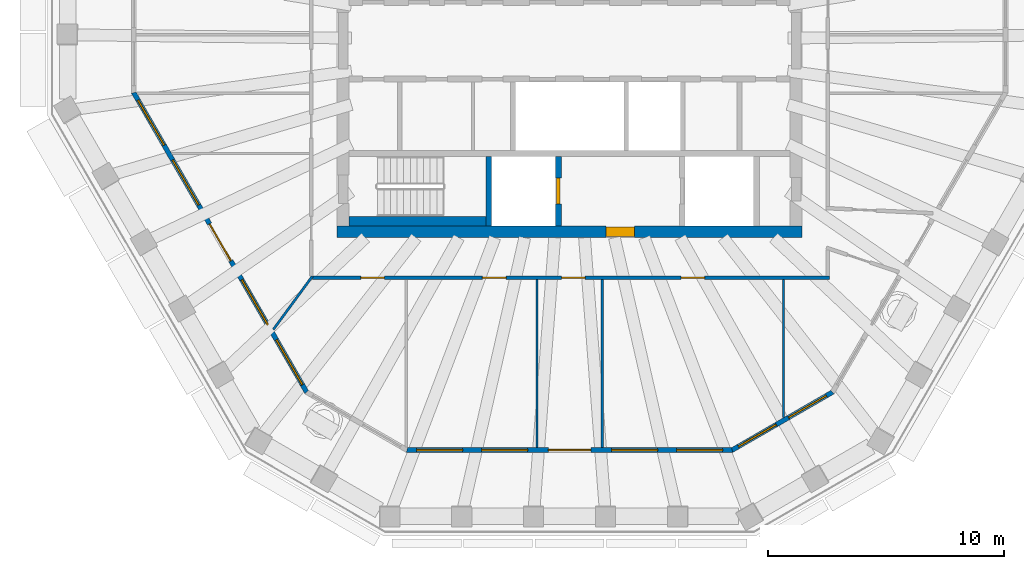
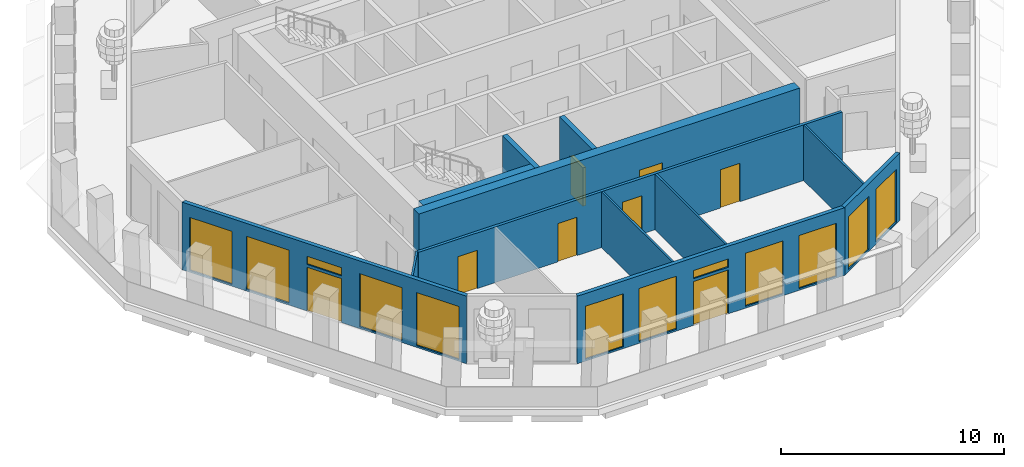
# One storey, part 3 of 11: 12 walls, 12 windows, 8 doors, 20 openings.
"""IFC4 building model written with IfcOpenShell, lengths in metres."""

import ifcopenshell
import ifcopenshell.guid

model = None  # the IFC model being written
_history = None  # IfcOwnerHistory: only IFC2X3 demands one
_inside = {}  # id of a spatial element -> (the spatial element, [elements in it])
_under = {}  # id of a project, library or spatial element -> (it, [spatial elements below it])
_declared = {}  # id of a project -> (the project, [libraries it declares])
_typed = {}  # id of a type object -> (the type object, [elements of that type])
_made_of = {}  # id of a material, layer set ... -> (it, [elements and type objects made of it])


def new_model(schema):
    """Start an empty IFC model of exactly this schema.

    Asked for "IFC4X3", IfcOpenShell would pick the latest addendum, in which some entities
    have other attributes; the version numbers below select the first issue.
    IFC2X3 requires an IfcOwnerHistory on every rooted entity: one is made here for all.
    """
    global model, _history
    if schema == "IFC4X3":
        model = ifcopenshell.file(schema_version=(4, 3, 0, 0))
    else:
        model = ifcopenshell.file(schema=schema)
    _inside.clear()
    _under.clear()
    _declared.clear()
    _typed.clear()
    _made_of.clear()
    _history = None
    if model.schema == "IFC2X3":
        org = make("IfcOrganization", Name="unknown")
        user = make(
            "IfcPersonAndOrganization",
            ThePerson=make("IfcPerson", FamilyName="unknown"),
            TheOrganization=org,
        )
        app = make(
            "IfcApplication",
            ApplicationDeveloper=org,
            Version="unknown",
            ApplicationFullName="unknown",
            ApplicationIdentifier="unknown",
        )
        _history = make(
            "IfcOwnerHistory",
            OwningUser=user,
            OwningApplication=app,
            ChangeAction="ADDED",
            CreationDate=0,
        )
    return model


def make(cls, **values):
    """One entity of the class cls with the attributes given. An attribute that is None is left unset."""
    return model.create_entity(
        cls, **{name: value for name, value in values.items() if value is not None}
    )


def rooted(cls, **values):
    """An entity with a GlobalId (a new one), such as an element, a storey or a relation."""
    return make(cls, GlobalId=ifcopenshell.guid.new(), OwnerHistory=_history, **values)


def si_unit(unit_type, name, prefix=None):
    """IfcSIUnit, for example si_unit("LENGTHUNIT", "METRE", prefix="MILLI")."""
    return make("IfcSIUnit", UnitType=unit_type, Prefix=prefix, Name=name)


def assignment(units):
    """IfcUnitAssignment: the units of a project."""
    return None if units is None else make("IfcUnitAssignment", Units=units)


def point(xyz):
    """IfcCartesianPoint."""
    return None if xyz is None else make("IfcCartesianPoint", Coordinates=xyz)


def direction(xyz):
    """IfcDirection."""
    return None if xyz is None else make("IfcDirection", DirectionRatios=xyz)


def frame(location, z_axis=None, x_axis=None):
    """IfcAxis2Placement3D, a coordinate frame: its origin and axes. An axis left out is left unset."""
    return make(
        "IfcAxis2Placement3D",
        Location=point(location),
        Axis=direction(z_axis),
        RefDirection=direction(x_axis),
    )


def frame_2d(location, x_axis=None):
    """IfcAxis2Placement2D, a coordinate frame in the plane: its origin and x axis."""
    return make(
        "IfcAxis2Placement2D", Location=point(location), RefDirection=direction(x_axis)
    )


def origin():
    """The frame at (0, 0, 0) with its axes left unset."""
    return frame((0.0, 0.0, 0.0))


def place(relative_to, where):
    """IfcLocalPlacement: puts the frame where relative to a parent placement (None: the world)."""
    return make(
        "IfcLocalPlacement", PlacementRelTo=relative_to, RelativePlacement=where
    )


def context(
    kind, dimensions, precision=None, world=None, true_north=None, identifier=None
):
    """IfcGeometricRepresentationContext, for example the 3D "Model" context."""
    return make(
        "IfcGeometricRepresentationContext",
        ContextIdentifier=identifier,
        ContextType=kind,
        CoordinateSpaceDimension=dimensions,
        Precision=precision,
        WorldCoordinateSystem=world,
        TrueNorth=true_north,
    )


def subcontext(parent, identifier, kind, view, scale=None):
    """IfcGeometricRepresentationSubContext, for example "Body" below "Model"."""
    return make(
        "IfcGeometricRepresentationSubContext",
        ContextIdentifier=identifier,
        ContextType=kind,
        ParentContext=parent,
        TargetScale=scale,
        TargetView=view,
    )


def project(units=None, contexts=None):
    """IfcProject with its units and contexts."""
    return rooted(
        "IfcProject",
        Name="project",
        RepresentationContexts=contexts,
        UnitsInContext=assignment(units),
    )


def spatial(cls, under=None, at=None, **own):
    """A site, building, storey or space (cls), placed at a placement, below another one or the project."""
    s = rooted(cls, ObjectPlacement=at, **own)
    if under is not None:
        _under.setdefault(under.id(), (under, []))[1].append(s)
    return s


def polyline(points):
    """IfcPolyline through the points."""
    return make("IfcPolyline", Points=[point(p) for p in points])


def profile(cls, at=None, kind="AREA", **sizes):
    """A parametric profile (cls). Its sizes go by their IFC names, for example OverallWidth=200.0."""
    return make(cls, ProfileType=kind, Position=at, **sizes)


def rectangle(**sizes):
    """IfcRectangleProfileDef."""
    return profile("IfcRectangleProfileDef", **sizes)


def outline(outer, holes=None, kind="AREA"):
    """IfcArbitraryClosedProfileDef: a profile drawn as a closed curve; with holes, ...WithVoids."""
    if holes is None:
        return make("IfcArbitraryClosedProfileDef", ProfileType=kind, OuterCurve=outer)
    return make(
        "IfcArbitraryProfileDefWithVoids",
        ProfileType=kind,
        OuterCurve=outer,
        InnerCurves=holes,
    )


def extrude(swept, where, along, depth):
    """IfcExtrudedAreaSolid: the profile swept, set in the frame where, extruded along a direction by depth."""
    return make(
        "IfcExtrudedAreaSolid",
        SweptArea=swept,
        Position=where,
        ExtrudedDirection=direction(along),
        Depth=depth,
    )


def shape(context_of_items, identifier, shape_type, items):
    """IfcShapeRepresentation: the items that make up one representation, for example the "Body"."""
    return make(
        "IfcShapeRepresentation",
        ContextOfItems=context_of_items,
        RepresentationIdentifier=identifier,
        RepresentationType=shape_type,
        Items=items,
    )


def material(Name=None, Category=None):
    """IfcMaterial."""
    return make("IfcMaterial", Name=Name, Category=Category)


def layer(
    of_material, thickness, ventilated=None, Name=None, Category=None, Priority=None
):
    """IfcMaterialLayer: one layer of a wall or slab, of a material (None: an air gap)."""
    return make(
        "IfcMaterialLayer",
        Material=of_material,
        LayerThickness=thickness,
        IsVentilated=ventilated,
        Name=Name,
        Category=Category,
        Priority=Priority,
    )


def layer_set(layers, Name=None):
    """IfcMaterialLayerSet."""
    return make("IfcMaterialLayerSet", MaterialLayers=layers, LayerSetName=Name)


def made_of(thing, what):
    """Note that an element or type object is made of a material, layer set ...; save() writes the relation."""
    if what is not None:
        _made_of.setdefault(what.id(), (what, []))[1].append(thing)
    return thing


def type_object(cls, material=None, **own):
    """A type object (cls), such as IfcWallType, which elements share."""
    return made_of(rooted(cls, **own), material)


def element(
    cls,
    number,
    at=None,
    inside=None,
    cuts=None,
    type_object=None,
    material=None,
    context=None,
    identifier="Body",
    shape_type=None,
    held_by="IfcProductDefinitionShape",
    body=None,
    shapes=None,
    **own,
):
    """One element of the class cls, such as IfcWall. Its Tag is "e" and its number.

    at: its placement. inside: the storey or other place that contains it. cuts: it is an
    opening in that element (IfcRelVoidsElement). A single representation is given by context,
    identifier, shape_type and body (its items); several are given by shapes. held_by: the class
    of the entity that holds the representations. save() writes the other relations.
    """
    e = rooted(cls, Tag="e%d" % number, ObjectPlacement=at, **own)
    if body is not None:
        shapes = [shape(context, identifier, shape_type, body)]
    if shapes is not None:
        e.Representation = make(held_by, Representations=shapes)
    if inside is not None:
        _inside.setdefault(inside.id(), (inside, []))[1].append(e)
    if cuts is not None:
        rooted(
            "IfcRelVoidsElement", RelatingBuildingElement=cuts, RelatedOpeningElement=e
        )
    if type_object is not None:
        _typed.setdefault(type_object.id(), (type_object, []))[1].append(e)
    return made_of(e, material)


def fill(opening, filler):
    """IfcRelFillsElement: the door or window that sits in an opening."""
    return rooted(
        "IfcRelFillsElement",
        RelatingOpeningElement=opening,
        RelatedBuildingElement=filler,
    )


def aggregate(whole, parts):
    """IfcRelAggregates: a whole, such as a stair, and the parts it consists of."""
    return rooted("IfcRelAggregates", RelatingObject=whole, RelatedObjects=parts)


def save(model, path):
    """Write the relations noted so far, then the file.

    IfcRelAggregates (storeys below a building ...), IfcRelContainedInSpatialStructure (elements
    in a storey), IfcRelDefinesByType, IfcRelAssociatesMaterial and IfcRelDeclares: one each for
    every whole, place, type object, material and project.
    """
    for whole, parts in _under.values():
        aggregate(whole, parts)
    for where, things in _inside.values():
        rooted(
            "IfcRelContainedInSpatialStructure",
            RelatedElements=things,
            RelatingStructure=where,
        )
    for kind, things in _typed.values():
        rooted("IfcRelDefinesByType", RelatedObjects=things, RelatingType=kind)
    for what, things in _made_of.values():
        rooted("IfcRelAssociatesMaterial", RelatedObjects=things, RelatingMaterial=what)
    for by, libraries in _declared.values():
        rooted("IfcRelDeclares", RelatingContext=by, RelatedDefinitions=libraries)
    model.write(path)


model = new_model("IFC4")

# Units and contexts
model_context = context("Model", 3, precision=1e-05, world=origin(), true_north=direction((0.0, 1.0)))
body_context = subcontext(model_context, "Body", "Model", "MODEL_VIEW")
ifc_project = project(units=[si_unit("LENGTHUNIT", "METRE"), si_unit("AREAUNIT", "SQUARE_METRE"), si_unit("VOLUMEUNIT", "CUBIC_METRE"), si_unit("PLANEANGLEUNIT", "RADIAN"), si_unit("MASSUNIT", "GRAM", prefix="KILO")], contexts=[model_context])

# Site, building, storey
site_placement = place(None, origin())
site = spatial("IfcSite", under=ifc_project, at=site_placement, CompositionType="ELEMENT")
building_placement = place(site_placement, origin())
building = spatial("IfcBuilding", under=site, at=building_placement, Name="Frailejon Research Tower", CompositionType="ELEMENT")
storey_placement = place(building_placement, frame((0.0, 0.0, 316.60009765625)))
storey = spatial("IfcBuildingStorey", under=building, at=storey_placement, Name="L70", CompositionType="ELEMENT", Elevation=316.60009765625)

# Wall, opening, door
ifc_material_1 = material(Name="Concrete C50/60", Category="concrete")
ifc_layer_1 = layer(ifc_material_1, 0.5)
ifc_layer_set_1 = layer_set([ifc_layer_1], Name="Core shear wall 500 C50/60")
wall_type_1 = type_object("IfcWallType", Name="Core shear wall 500 C50/60", PredefinedType="SHEAR", material=ifc_layer_set_1)
wall_1_placement = place(storey_placement, frame((-9.85009765625, -8.10009765625, 0.0), z_axis=(0.0, 0.0, 1.0), x_axis=(1.0, 0.0, 0.0)))
wall_1 = element("IfcWall", 1, at=wall_1_placement, inside=storey, type_object=wall_type_1, Name="Core shear wall", PredefinedType="SHEAR", context=body_context, shape_type="SweptSolid", body=[
    extrude(rectangle(XDim=19.7001953125, YDim=0.5, at=frame_2d((9.85009765625, 0.0))), origin(), (0.0, 0.0, 1.0), 3.699951171875),
])
opening_1_placement = place(wall_1_placement, frame((11.39990234375, 0.0, 0.0)))
opening_1 = element("IfcOpeningElement", 2, at=opening_1_placement, cuts=wall_1, Name="Opening D3", PredefinedType="OPENING", context=body_context, shape_type="SweptSolid", body=[
    extrude(rectangle(XDim=1.199951171875, YDim=2.10009765625, at=frame_2d((0.60009765625, 1.050048828125))), frame((0.0, 0.260009765625, 0.0), z_axis=(0.0, -1.0, 0.0), x_axis=(1.0, 0.0, 0.0)), (0.0, 0.0, 1.0), 0.52001953125),
])
ifc_material_2 = material(Name="Steel", Category="steel")
door_type_1 = type_object("IfcDoorType", Name="Firefighting lobby door", OperationType="SINGLE_SWING_LEFT", PredefinedType="DOOR", material=ifc_material_2)
door_1_placement = place(opening_1_placement, origin())
door_1 = element("IfcDoor", 3, at=door_1_placement, inside=storey, type_object=door_type_1, Name="Firefighting lobby door", OperationType="SINGLE_SWING_RIGHT", OverallHeight=2.10009765625, OverallWidth=1.199951171875, PredefinedType="DOOR", context=body_context, shape_type="SweptSolid", body=[
    extrude(rectangle(XDim=1.199951171875, YDim=2.10009765625, at=frame_2d((0.60009765625, 1.050048828125))), frame((0.0, 0.199951171875, 0.0), z_axis=(0.0, -1.0, 0.0), x_axis=(1.0, 0.0, 0.0)), (0.0, 0.0, 1.0), 0.39990234375),
])
fill(opening_1, door_1)

# Wall, openings, doors
ifc_material_3 = material(Name="Gypsum board and masonry partition", Category="masonry")
ifc_layer_2 = layer(ifc_material_3, 0.14990234375)
ifc_layer_set_2 = layer_set([ifc_layer_2], Name="Corridor wall EI 60, gypsum on steel studs 150")
wall_type_2 = type_object("IfcWallType", Name="Corridor wall EI 60, gypsum on steel studs 150", PredefinedType="PARTITIONING", material=ifc_layer_set_2)
wall_2_placement = place(storey_placement, frame((-10.89990234375, -10.050048828125, 0.0), z_axis=(0.0, 0.0, 1.0), x_axis=(1.0, 0.0, 0.0)))
wall_2 = element("IfcWall", 4, at=wall_2_placement, inside=storey, type_object=wall_type_2, Name="T:IW:L70:006", PredefinedType="PARTITIONING", context=body_context, shape_type="SweptSolid", body=[
    extrude(rectangle(XDim=21.9248046875, YDim=0.14990234375, at=frame_2d((10.96240234375, 0.0))), origin(), (0.0, 0.0, 1.0), 3.0498046875),
])
opening_2_placement = place(wall_2_placement, frame((2.048583984375, 0.0, 0.0)))
opening_2 = element("IfcOpeningElement", 5, at=opening_2_placement, cuts=wall_2, Name="Opening D2325", PredefinedType="OPENING", context=body_context, shape_type="SweptSolid", body=[
    extrude(rectangle(XDim=1.0, YDim=2.10009765625, at=frame_2d((0.5, 1.050048828125))), frame((0.0, 0.0849609375, 0.0), z_axis=(0.0, -1.0, 0.0), x_axis=(1.0, 0.0, 0.0)), (0.0, 0.0, 1.0), 0.169921875),
])
opening_3_placement = place(wall_2_placement, frame((7.20751953125, 0.0, 0.0)))
opening_3 = element("IfcOpeningElement", 6, at=opening_3_placement, cuts=wall_2, Name="Opening D2326", PredefinedType="OPENING", context=body_context, shape_type="SweptSolid", body=[
    extrude(rectangle(XDim=1.0, YDim=2.10009765625, at=frame_2d((0.5, 1.050048828125))), frame((0.0, 0.0849609375, 0.0), z_axis=(0.0, -1.0, 0.0), x_axis=(1.0, 0.0, 0.0)), (0.0, 0.0, 1.0), 0.169921875),
])
opening_4_placement = place(wall_2_placement, frame((10.56005859375, 0.0, 0.0)))
opening_4 = element("IfcOpeningElement", 7, at=opening_4_placement, cuts=wall_2, Name="Opening D2327", PredefinedType="OPENING", context=body_context, shape_type="SweptSolid", body=[
    extrude(rectangle(XDim=1.0, YDim=2.10009765625, at=frame_2d((0.5, 1.050048828125))), frame((0.0, 0.0849609375, 0.0), z_axis=(0.0, -1.0, 0.0), x_axis=(1.0, 0.0, 0.0)), (0.0, 0.0, 1.0), 0.169921875),
])
opening_5_placement = place(wall_2_placement, frame((15.626220703125, 0.0, 0.0)))
opening_5 = element("IfcOpeningElement", 8, at=opening_5_placement, cuts=wall_2, Name="Opening D2328", PredefinedType="OPENING", context=body_context, shape_type="SweptSolid", body=[
    extrude(rectangle(XDim=1.0, YDim=2.10009765625, at=frame_2d((0.5, 1.050048828125))), frame((0.0, 0.0849609375, 0.0), z_axis=(0.0, -1.0, 0.0), x_axis=(1.0, 0.0, 0.0)), (0.0, 0.0, 1.0), 0.169921875),
])
ifc_material_4 = material(Name="Timber door leaf", Category="wood")
door_type_2 = type_object("IfcDoorType", Name="Door single leaf, timber, steel frame 1000", OperationType="NOTDEFINED", PredefinedType="DOOR", material=ifc_material_4)
door_2_placement = place(opening_2_placement, origin())
door_2 = element("IfcDoor", 9, at=door_2_placement, inside=storey, type_object=door_type_2, Name="D2325", OperationType="SINGLE_SWING_LEFT", OverallHeight=2.10009765625, OverallWidth=1.0, PredefinedType="DOOR", context=body_context, shape_type="SweptSolid", body=[
    extrude(rectangle(XDim=1.0, YDim=2.10009765625, at=frame_2d((0.5, 1.050048828125))), frame((0.0, 0.02490234375, 0.0), z_axis=(0.0, -1.0, 0.0), x_axis=(1.0, 0.0, 0.0)), (0.0, 0.0, 1.0), 0.050048828125),
])
fill(opening_2, door_2)
door_3_placement = place(opening_3_placement, origin())
door_3 = element("IfcDoor", 10, at=door_3_placement, inside=storey, type_object=door_type_2, Name="D2326", OperationType="SINGLE_SWING_RIGHT", OverallHeight=2.10009765625, OverallWidth=1.0, PredefinedType="DOOR", context=body_context, shape_type="SweptSolid", body=[
    extrude(rectangle(XDim=1.0, YDim=2.10009765625, at=frame_2d((0.5, 1.050048828125))), frame((0.0, 0.02490234375, 0.0), z_axis=(0.0, -1.0, 0.0), x_axis=(1.0, 0.0, 0.0)), (0.0, 0.0, 1.0), 0.050048828125),
])
fill(opening_3, door_3)
door_4_placement = place(opening_4_placement, origin())
door_4 = element("IfcDoor", 11, at=door_4_placement, inside=storey, type_object=door_type_2, Name="D2327", OperationType="SINGLE_SWING_RIGHT", OverallHeight=2.10009765625, OverallWidth=1.0, PredefinedType="DOOR", context=body_context, shape_type="SweptSolid", body=[
    extrude(rectangle(XDim=1.0, YDim=2.10009765625, at=frame_2d((0.5, 1.050048828125))), frame((0.0, 0.02490234375, 0.0), z_axis=(0.0, -1.0, 0.0), x_axis=(1.0, 0.0, 0.0)), (0.0, 0.0, 1.0), 0.050048828125),
])
fill(opening_4, door_4)
door_5_placement = place(opening_5_placement, origin())
door_5 = element("IfcDoor", 12, at=door_5_placement, inside=storey, type_object=door_type_2, Name="D2328", OperationType="SINGLE_SWING_RIGHT", OverallHeight=2.10009765625, OverallWidth=1.0, PredefinedType="DOOR", context=body_context, shape_type="SweptSolid", body=[
    extrude(rectangle(XDim=1.0, YDim=2.10009765625, at=frame_2d((0.5, 1.050048828125))), frame((0.0, 0.02490234375, 0.0), z_axis=(0.0, -1.0, 0.0), x_axis=(1.0, 0.0, 0.0)), (0.0, 0.0, 1.0), 0.050048828125),
])
fill(opening_5, door_5)

# Walls
ifc_material_5 = material(Name="Gypsum board and masonry partition", Category="masonry")
ifc_layer_3 = layer(ifc_material_5, 0.10009765625)
ifc_layer_set_3 = layer_set([ifc_layer_3], Name="Partition, gypsum on steel studs 100")
wall_type_3 = type_object("IfcWallType", Name="Partition, gypsum on steel studs 100", PredefinedType="PARTITIONING", material=ifc_layer_set_3)
wall_3_placement = place(storey_placement, frame((-12.560302734375, -12.2451171875, 0.0), z_axis=(0.0, 0.0, 1.0), x_axis=(0.59151877204, 0.806291226744, 0.0)))
element("IfcWall", 13, at=wall_3_placement, inside=storey, type_object=wall_type_3, Name="T:IW:L70:021", PredefinedType="PARTITIONING", context=body_context, shape_type="SweptSolid", body=[
    extrude(rectangle(XDim=2.797607421875, YDim=0.10009765625, at=frame_2d((1.39892578125, 0.0))), origin(), (0.0, 0.0, 1.0), 3.0498046875),
])
for number, where, z_axis, x_axis, name in (
    (14, (-1.3837890625, -17.25146484375, 0.0), (0.0, 0.0, 1.0), (0.0, 1.0, 0.0), "T:IW:L70:023"),
    (15, (1.3837890625, -17.25146484375, 0.0), (0.0, 0.0, 1.0), (0.0, 1.0, 0.0), "T:IW:L70:024"),
):
    element("IfcWall", number, at=place(storey_placement, frame(where, z_axis=z_axis, x_axis=x_axis)), inside=storey, type_object=wall_type_3, Name=name, PredefinedType="PARTITIONING", context=body_context, shape_type="SweptSolid", body=[
        extrude(rectangle(XDim=7.12646484375, YDim=0.10009765625, at=frame_2d((3.563232421875, 0.0))), origin(), (0.0, 0.0, 1.0), 3.0498046875),
    ])
wall_4_placement = place(storey_placement, frame((9.068603515625, -15.979248046875, 0.0), z_axis=(0.0, 0.0, 1.0), x_axis=(0.0, 1.0, 0.0)))
element("IfcWall", 16, at=wall_4_placement, inside=storey, type_object=wall_type_3, Name="T:IW:L70:025", PredefinedType="PARTITIONING", context=body_context, shape_type="SweptSolid", body=[
    extrude(rectangle(XDim=5.854248046875, YDim=0.10009765625, at=frame_2d((2.92724609375, 0.0))), origin(), (0.0, 0.0, 1.0), 3.0498046875),
])
ifc_material_6 = material(Name="Concrete C50/60", Category="concrete")
ifc_layer_4 = layer(ifc_material_6, 0.25)
ifc_layer_set_4 = layer_set([ifc_layer_4], Name="Shaft wall 250 C50/60")
wall_type_4 = type_object("IfcWallType", Name="Shaft wall 250 C50/60", PredefinedType="SOLIDWALL", material=ifc_layer_set_4)
wall_5_placement = place(storey_placement, frame((-3.425048828125, -7.85009765625, 0.0), z_axis=(0.0, 0.0, 1.0), x_axis=(0.0, 1.0, 0.0)))
element("IfcWall", 17, at=wall_5_placement, inside=storey, type_object=wall_type_4, Name="Shaft wall", PredefinedType="SOLIDWALL", context=body_context, shape_type="SweptSolid", body=[
    extrude(rectangle(XDim=2.9501953125, YDim=0.25, at=frame_2d((1.47509765625, 0.0))), origin(), (0.0, 0.0, 1.0), 3.699951171875),
])

# Wall, opening, door
wall_6_placement = place(storey_placement, frame((-0.47509765625, -7.85009765625, 0.0), z_axis=(0.0, 0.0, 1.0), x_axis=(0.0, 1.0, 0.0)))
wall_6 = element("IfcWall", 18, at=wall_6_placement, inside=storey, type_object=wall_type_4, Name="Shaft wall", PredefinedType="SOLIDWALL", context=body_context, shape_type="SweptSolid", body=[
    extrude(rectangle(XDim=2.9501953125, YDim=0.25, at=frame_2d((1.47509765625, 0.0))), origin(), (0.0, 0.0, 1.0), 3.699951171875),
])
opening_6_placement = place(wall_6_placement, frame((0.925048828125, 0.0, 0.0)))
opening_6 = element("IfcOpeningElement", 19, at=opening_6_placement, cuts=wall_6, Name="Opening LD", PredefinedType="OPENING", context=body_context, shape_type="SweptSolid", body=[
    extrude(rectangle(XDim=1.10009765625, YDim=2.10009765625, at=frame_2d((0.550048828125, 1.050048828125))), frame((0.0, 0.135009765625, 0.0), z_axis=(0.0, -1.0, 0.0), x_axis=(1.0, 0.0, 0.0)), (0.0, 0.0, 1.0), 0.27001953125),
])
ifc_material_7 = material(Name="Steel", Category="steel")
door_type_3 = type_object("IfcDoorType", Name="Lift landing door", OperationType="DOUBLE_DOOR_SLIDING", PredefinedType="DOOR", material=ifc_material_7)
door_6_placement = place(opening_6_placement, origin())
door_6 = element("IfcDoor", 20, at=door_6_placement, inside=storey, type_object=door_type_3, Name="Lift landing door", OperationType="DOUBLE_DOOR_SLIDING", OverallHeight=2.10009765625, OverallWidth=1.10009765625, PredefinedType="DOOR", context=body_context, shape_type="SweptSolid", body=[
    extrude(rectangle(XDim=1.10009765625, YDim=2.10009765625, at=frame_2d((0.550048828125, 1.050048828125))), frame((0.0, 0.074951171875, 0.0), z_axis=(0.0, -1.0, 0.0), x_axis=(1.0, 0.0, 0.0)), (0.0, 0.0, 1.0), 0.14990234375),
])
fill(opening_6, door_6)

# Wall
ifc_material_8 = material(Name="Concrete C50/60", Category="concrete")
ifc_layer_5 = layer(ifc_material_8, 0.39990234375)
ifc_layer_set_5 = layer_set([ifc_layer_5], Name="Shaft wall 400 C50/60")
wall_type_5 = type_object("IfcWallType", Name="Shaft wall 400 C50/60", PredefinedType="SOLIDWALL", material=ifc_layer_set_5)
wall_7_placement = place(storey_placement, frame((-9.35009765625, -7.64990234375, 0.0), z_axis=(0.0, 0.0, 1.0), x_axis=(1.0, 0.0, 0.0)))
element("IfcWall", 21, at=wall_7_placement, inside=storey, type_object=wall_type_5, Name="Shaft wall", PredefinedType="SOLIDWALL", context=body_context, shape_type="SweptSolid", body=[
    extrude(rectangle(XDim=5.800048828125, YDim=0.39990234375, at=frame_2d((2.89990234375, 0.0))), origin(), (0.0, 0.0, 1.0), 3.699951171875),
])

# Wall, openings, door, windows
ifc_material_9 = material(Name="Concrete C40/50 precast window wall panel", Category="concrete")
ifc_layer_6 = layer(ifc_material_9, 0.199951171875)
ifc_layer_set_6 = layer_set([ifc_layer_6], Name="Window wall 200")
wall_type_6 = type_object("IfcWallType", Name="Window wall 200", PredefinedType="SOLIDWALL", material=ifc_layer_set_6)
wall_8_placement = place(storey_placement, frame((-18.47265625, -2.204345703125, 0.0), z_axis=(0.0, 0.0, 1.0), x_axis=(0.499995013995, -0.866028282437, 0.0)))
wall_8 = element("IfcWall", 22, at=wall_8_placement, inside=storey, type_object=wall_type_6, Name="Exterior wall L70", PredefinedType="SOLIDWALL", context=body_context, shape_type="SweptSolid", body=[
    extrude(outline(polyline([(-0.02685546875, -0.10009765625), (1.023681640625, -0.10009765625), (2.07421875, -0.10009765625), (3.125, -0.10009765625), (4.175537109375, -0.10009765625), (5.22607421875, -0.10009765625), (6.276611328125, -0.10009765625), (7.3271484375, -0.10009765625), (8.3779296875, -0.10009765625), (9.428466796875, -0.10009765625), (10.47900390625, -0.10009765625), (11.529541015625, -0.10009765625), (12.580322265625, -0.10009765625), (13.630859375, -0.10009765625), (14.681396484375, -0.10009765625), (14.627685546875, 0.10009765625), (13.584716796875, 0.10009765625), (12.541748046875, 0.10009765625), (11.4990234375, 0.10009765625), (10.4560546875, 0.10009765625), (9.4130859375, 0.10009765625), (8.3701171875, 0.10009765625), (7.3271484375, 0.10009765625), (6.284423828125, 0.10009765625), (5.241455078125, 0.10009765625), (4.198486328125, 0.10009765625), (3.155517578125, 0.10009765625), (2.11279296875, 0.10009765625), (1.06982421875, 0.10009765625), (0.02685546875, 0.10009765625), (-0.02685546875, -0.10009765625)])), origin(), (0.0, 0.0, 1.0), 3.699951171875),
])
opening_7_placement = place(wall_8_placement, frame((0.365478515625, 0.0, 0.10009765625)))
opening_7 = element("IfcOpeningElement", 23, at=opening_7_placement, cuts=wall_8, Name="Opening W28", PredefinedType="OPENING", context=body_context, shape_type="SweptSolid", body=[
    extrude(rectangle(XDim=2.199951171875, YDim=2.89990234375, at=frame_2d((1.10009765625, 1.449951171875))), frame((0.0, 0.10986328125, 0.0), z_axis=(0.0, -1.0, 0.0), x_axis=(1.0, 0.0, 0.0)), (0.0, 0.0, 1.0), 0.219970703125),
])
opening_8_placement = place(wall_8_placement, frame((3.29638671875, 0.0, 0.10009765625)))
opening_8 = element("IfcOpeningElement", 24, at=opening_8_placement, cuts=wall_8, Name="Opening W28", PredefinedType="OPENING", context=body_context, shape_type="SweptSolid", body=[
    extrude(rectangle(XDim=2.199951171875, YDim=2.89990234375, at=frame_2d((1.10009765625, 1.449951171875))), frame((0.0, 0.10986328125, 0.0), z_axis=(0.0, -1.0, 0.0), x_axis=(1.0, 0.0, 0.0)), (0.0, 0.0, 1.0), 0.219970703125),
])
opening_9_placement = place(wall_8_placement, frame((6.42724609375, 0.0, 0.0)))
opening_9 = element("IfcOpeningElement", 25, at=opening_9_placement, cuts=wall_8, Name="Opening LG70-4", PredefinedType="OPENING", context=body_context, shape_type="SweptSolid", body=[
    extrude(rectangle(XDim=1.800048828125, YDim=2.39990234375, at=frame_2d((0.89990234375, 1.199951171875))), frame((0.0, 0.10986328125, 0.0), z_axis=(0.0, -1.0, 0.0), x_axis=(1.0, 0.0, 0.0)), (0.0, 0.0, 1.0), 0.219970703125),
])
opening_10_placement = place(wall_8_placement, frame((6.42724609375, 0.0, 2.550048828125)))
opening_10 = element("IfcOpeningElement", 26, at=opening_10_placement, cuts=wall_8, Name="Opening W1", PredefinedType="OPENING", context=body_context, shape_type="SweptSolid", body=[
    extrude(rectangle(XDim=1.800048828125, YDim=0.449951171875, at=frame_2d((0.89990234375, 0.22509765625))), frame((0.0, 0.10986328125, 0.0), z_axis=(0.0, -1.0, 0.0), x_axis=(1.0, 0.0, 0.0)), (0.0, 0.0, 1.0), 0.219970703125),
])
opening_11_placement = place(wall_8_placement, frame((9.158203125, 0.0, 0.10009765625)))
opening_11 = element("IfcOpeningElement", 27, at=opening_11_placement, cuts=wall_8, Name="Opening W28", PredefinedType="OPENING", context=body_context, shape_type="SweptSolid", body=[
    extrude(rectangle(XDim=2.199951171875, YDim=2.89990234375, at=frame_2d((1.10009765625, 1.449951171875))), frame((0.0, 0.10986328125, 0.0), z_axis=(0.0, -1.0, 0.0), x_axis=(1.0, 0.0, 0.0)), (0.0, 0.0, 1.0), 0.219970703125),
])
opening_12_placement = place(wall_8_placement, frame((12.089111328125, 0.0, 0.10009765625)))
opening_12 = element("IfcOpeningElement", 28, at=opening_12_placement, cuts=wall_8, Name="Opening W28", PredefinedType="OPENING", context=body_context, shape_type="SweptSolid", body=[
    extrude(rectangle(XDim=2.199951171875, YDim=2.89990234375, at=frame_2d((1.10009765625, 1.449951171875))), frame((0.0, 0.10986328125, 0.0), z_axis=(0.0, -1.0, 0.0), x_axis=(1.0, 0.0, 0.0)), (0.0, 0.0, 1.0), 0.219970703125),
])
ifc_material_10 = material(Name="Aluminium framed glazed door leaf", Category="aluminium")
door_type_4 = type_object("IfcDoorType", Name="Loggia door 1800x2400", OperationType="DOUBLE_DOOR_SINGLE_SWING", PredefinedType="DOOR", material=ifc_material_10)
door_7_placement = place(opening_9_placement, origin())
door_7 = element("IfcDoor", 29, at=door_7_placement, inside=storey, type_object=door_type_4, Name="Door LG70-4", OperationType="DOUBLE_DOOR_SINGLE_SWING", OverallHeight=2.39990234375, OverallWidth=1.800048828125, PredefinedType="DOOR", context=body_context, shape_type="SweptSolid", body=[
    extrude(rectangle(XDim=1.800048828125, YDim=2.39990234375, at=frame_2d((0.89990234375, 1.199951171875))), frame((0.0, 0.02490234375, 0.0), z_axis=(0.0, -1.0, 0.0), x_axis=(1.0, 0.0, 0.0)), (0.0, 0.0, 1.0), 0.050048828125),
])
fill(opening_9, door_7)
ifc_material_11 = material(Name="Aluminium framed double glazing", Category="aluminium")
window_type_1 = type_object("IfcWindowType", Name="Window 1800x450", PartitioningType="SINGLE_PANEL", PredefinedType="WINDOW", material=ifc_material_11)
window_1_placement = place(opening_10_placement, origin())
window_1 = element("IfcWindow", 30, at=window_1_placement, inside=storey, type_object=window_type_1, Name="Window L70", OverallHeight=0.449951171875, OverallWidth=1.800048828125, PartitioningType="SINGLE_PANEL", PredefinedType="WINDOW", context=body_context, shape_type="SweptSolid", body=[
    extrude(rectangle(XDim=1.800048828125, YDim=0.449951171875, at=frame_2d((0.89990234375, 0.22509765625))), frame((0.0, 0.030029296875, 0.0), z_axis=(0.0, -1.0, 0.0), x_axis=(1.0, 0.0, 0.0)), (0.0, 0.0, 1.0), 0.06005859375),
])
fill(opening_10, window_1)
ifc_material_12 = material(Name="Aluminium framed double glazing", Category="aluminium")
window_type_2 = type_object("IfcWindowType", Name="Window 2200x2900", PartitioningType="SINGLE_PANEL", PredefinedType="WINDOW", material=ifc_material_12)
window_2_placement = place(opening_7_placement, origin())
window_2 = element("IfcWindow", 31, at=window_2_placement, inside=storey, type_object=window_type_2, Name="Window L70", OverallHeight=2.89990234375, OverallWidth=2.199951171875, PartitioningType="SINGLE_PANEL", PredefinedType="WINDOW", context=body_context, shape_type="SweptSolid", body=[
    extrude(rectangle(XDim=2.199951171875, YDim=2.89990234375, at=frame_2d((1.10009765625, 1.449951171875))), frame((0.0, 0.030029296875, 0.0), z_axis=(0.0, -1.0, 0.0), x_axis=(1.0, 0.0, 0.0)), (0.0, 0.0, 1.0), 0.06005859375),
])
fill(opening_7, window_2)
window_3_placement = place(opening_8_placement, origin())
window_3 = element("IfcWindow", 32, at=window_3_placement, inside=storey, type_object=window_type_2, Name="Window L70", OverallHeight=2.89990234375, OverallWidth=2.199951171875, PartitioningType="SINGLE_PANEL", PredefinedType="WINDOW", context=body_context, shape_type="SweptSolid", body=[
    extrude(rectangle(XDim=2.199951171875, YDim=2.89990234375, at=frame_2d((1.10009765625, 1.449951171875))), frame((0.0, 0.030029296875, 0.0), z_axis=(0.0, -1.0, 0.0), x_axis=(1.0, 0.0, 0.0)), (0.0, 0.0, 1.0), 0.06005859375),
])
fill(opening_8, window_3)
window_4_placement = place(opening_11_placement, origin())
window_4 = element("IfcWindow", 33, at=window_4_placement, inside=storey, type_object=window_type_2, Name="Window L70", OverallHeight=2.89990234375, OverallWidth=2.199951171875, PartitioningType="SINGLE_PANEL", PredefinedType="WINDOW", context=body_context, shape_type="SweptSolid", body=[
    extrude(rectangle(XDim=2.199951171875, YDim=2.89990234375, at=frame_2d((1.10009765625, 1.449951171875))), frame((0.0, 0.030029296875, 0.0), z_axis=(0.0, -1.0, 0.0), x_axis=(1.0, 0.0, 0.0)), (0.0, 0.0, 1.0), 0.06005859375),
])
fill(opening_11, window_4)
window_5_placement = place(opening_12_placement, origin())
window_5 = element("IfcWindow", 34, at=window_5_placement, inside=storey, type_object=window_type_2, Name="Window L70", OverallHeight=2.89990234375, OverallWidth=2.199951171875, PartitioningType="SINGLE_PANEL", PredefinedType="WINDOW", context=body_context, shape_type="SweptSolid", body=[
    extrude(rectangle(XDim=2.199951171875, YDim=2.89990234375, at=frame_2d((1.10009765625, 1.449951171875))), frame((0.0, 0.030029296875, 0.0), z_axis=(0.0, -1.0, 0.0), x_axis=(1.0, 0.0, 0.0)), (0.0, 0.0, 1.0), 0.06005859375),
])
fill(opening_12, window_5)

wall_9_placement = place(storey_placement, frame((-6.891845703125, -17.351318359375, 0.0), z_axis=(0.0, 0.0, 1.0), x_axis=(1.0, 0.0, 0.0)))
wall_9 = element("IfcWall", 35, at=wall_9_placement, inside=storey, type_object=wall_type_6, Name="Exterior wall L70", PredefinedType="SOLIDWALL", context=body_context, shape_type="SweptSolid", body=[
    extrude(outline(polyline([(-0.02685546875, -0.10009765625), (1.03759765625, -0.10009765625), (2.10205078125, -0.10009765625), (3.16650390625, -0.10009765625), (4.230712890625, -0.10009765625), (5.295166015625, -0.10009765625), (6.359619140625, -0.10009765625), (7.424072265625, -0.10009765625), (8.488525390625, -0.10009765625), (9.552978515625, -0.10009765625), (10.6171875, -0.10009765625), (11.681640625, -0.10009765625), (12.74609375, -0.10009765625), (13.810546875, -0.10009765625), (13.7568359375, 0.10009765625), (12.70068359375, 0.10009765625), (11.64453125, 0.10009765625), (10.58837890625, 0.10009765625), (9.5322265625, 0.10009765625), (8.47607421875, 0.10009765625), (7.419921875, 0.10009765625), (6.36376953125, 0.10009765625), (5.3076171875, 0.10009765625), (4.25146484375, 0.10009765625), (3.1953125, 0.10009765625), (2.13916015625, 0.10009765625), (1.0830078125, 0.10009765625), (0.02685546875, 0.10009765625), (-0.02685546875, -0.10009765625)])), origin(), (0.0, 0.0, 1.0), 3.699951171875),
])
opening_13_placement = place(wall_9_placement, frame((0.4033203125, 0.0, 0.10009765625)))
opening_13 = element("IfcOpeningElement", 36, at=opening_13_placement, cuts=wall_9, Name="Opening W27", PredefinedType="OPENING", context=body_context, shape_type="SweptSolid", body=[
    extrude(rectangle(XDim=1.949951171875, YDim=2.89990234375, at=frame_2d((0.97509765625, 1.449951171875))), frame((0.0, 0.10986328125, 0.0), z_axis=(0.0, -1.0, 0.0), x_axis=(1.0, 0.0, 0.0)), (0.0, 0.0, 1.0), 0.219970703125),
])
opening_14_placement = place(wall_9_placement, frame((3.16015625, 0.0, 0.10009765625)))
opening_14 = element("IfcOpeningElement", 37, at=opening_14_placement, cuts=wall_9, Name="Opening W27", PredefinedType="OPENING", context=body_context, shape_type="SweptSolid", body=[
    extrude(rectangle(XDim=1.949951171875, YDim=2.89990234375, at=frame_2d((0.97509765625, 1.449951171875))), frame((0.0, 0.10986328125, 0.0), z_axis=(0.0, -1.0, 0.0), x_axis=(1.0, 0.0, 0.0)), (0.0, 0.0, 1.0), 0.219970703125),
])
opening_15_placement = place(wall_9_placement, frame((5.99169921875, 0.0, 0.0)))
opening_15 = element("IfcOpeningElement", 38, at=opening_15_placement, cuts=wall_9, Name="Opening LG70-5", PredefinedType="OPENING", context=body_context, shape_type="SweptSolid", body=[
    extrude(rectangle(XDim=1.800048828125, YDim=2.39990234375, at=frame_2d((0.89990234375, 1.199951171875))), frame((0.0, 0.10986328125, 0.0), z_axis=(0.0, -1.0, 0.0), x_axis=(1.0, 0.0, 0.0)), (0.0, 0.0, 1.0), 0.219970703125),
])
opening_16_placement = place(wall_9_placement, frame((5.99169921875, 0.0, 2.550048828125)))
opening_16 = element("IfcOpeningElement", 39, at=opening_16_placement, cuts=wall_9, Name="Opening W1", PredefinedType="OPENING", context=body_context, shape_type="SweptSolid", body=[
    extrude(rectangle(XDim=1.800048828125, YDim=0.449951171875, at=frame_2d((0.89990234375, 0.22509765625))), frame((0.0, 0.10986328125, 0.0), z_axis=(0.0, -1.0, 0.0), x_axis=(1.0, 0.0, 0.0)), (0.0, 0.0, 1.0), 0.219970703125),
])
opening_17_placement = place(wall_9_placement, frame((8.673583984375, 0.0, 0.10009765625)))
opening_17 = element("IfcOpeningElement", 40, at=opening_17_placement, cuts=wall_9, Name="Opening W27", PredefinedType="OPENING", context=body_context, shape_type="SweptSolid", body=[
    extrude(rectangle(XDim=1.949951171875, YDim=2.89990234375, at=frame_2d((0.97509765625, 1.449951171875))), frame((0.0, 0.10986328125, 0.0), z_axis=(0.0, -1.0, 0.0), x_axis=(1.0, 0.0, 0.0)), (0.0, 0.0, 1.0), 0.219970703125),
])
opening_18_placement = place(wall_9_placement, frame((11.430419921875, 0.0, 0.10009765625)))
opening_18 = element("IfcOpeningElement", 41, at=opening_18_placement, cuts=wall_9, Name="Opening W27", PredefinedType="OPENING", context=body_context, shape_type="SweptSolid", body=[
    extrude(rectangle(XDim=1.949951171875, YDim=2.89990234375, at=frame_2d((0.97509765625, 1.449951171875))), frame((0.0, 0.10986328125, 0.0), z_axis=(0.0, -1.0, 0.0), x_axis=(1.0, 0.0, 0.0)), (0.0, 0.0, 1.0), 0.219970703125),
])
door_8_placement = place(opening_15_placement, origin())
door_8 = element("IfcDoor", 42, at=door_8_placement, inside=storey, type_object=door_type_4, Name="Door LG70-5", OperationType="DOUBLE_DOOR_SINGLE_SWING", OverallHeight=2.39990234375, OverallWidth=1.800048828125, PredefinedType="DOOR", context=body_context, shape_type="SweptSolid", body=[
    extrude(rectangle(XDim=1.800048828125, YDim=2.39990234375, at=frame_2d((0.89990234375, 1.199951171875))), frame((0.0, 0.02490234375, 0.0), z_axis=(0.0, -1.0, 0.0), x_axis=(1.0, 0.0, 0.0)), (0.0, 0.0, 1.0), 0.050048828125),
])
fill(opening_15, door_8)
window_6_placement = place(opening_16_placement, origin())
window_6 = element("IfcWindow", 43, at=window_6_placement, inside=storey, type_object=window_type_1, Name="Window L70", OverallHeight=0.449951171875, OverallWidth=1.800048828125, PartitioningType="SINGLE_PANEL", PredefinedType="WINDOW", context=body_context, shape_type="SweptSolid", body=[
    extrude(rectangle(XDim=1.800048828125, YDim=0.449951171875, at=frame_2d((0.89990234375, 0.22509765625))), frame((0.0, 0.030029296875, 0.0), z_axis=(0.0, -1.0, 0.0), x_axis=(1.0, 0.0, 0.0)), (0.0, 0.0, 1.0), 0.06005859375),
])
fill(opening_16, window_6)
ifc_material_13 = material(Name="Aluminium framed double glazing", Category="aluminium")
window_type_3 = type_object("IfcWindowType", Name="Window 1950x2900", PartitioningType="SINGLE_PANEL", PredefinedType="WINDOW", material=ifc_material_13)
window_7_placement = place(opening_13_placement, origin())
window_7 = element("IfcWindow", 44, at=window_7_placement, inside=storey, type_object=window_type_3, Name="Window L70", OverallHeight=2.89990234375, OverallWidth=1.949951171875, PartitioningType="SINGLE_PANEL", PredefinedType="WINDOW", context=body_context, shape_type="SweptSolid", body=[
    extrude(rectangle(XDim=1.949951171875, YDim=2.89990234375, at=frame_2d((0.97509765625, 1.449951171875))), frame((0.0, 0.030029296875, 0.0), z_axis=(0.0, -1.0, 0.0), x_axis=(1.0, 0.0, 0.0)), (0.0, 0.0, 1.0), 0.06005859375),
])
fill(opening_13, window_7)
window_8_placement = place(opening_14_placement, origin())
window_8 = element("IfcWindow", 45, at=window_8_placement, inside=storey, type_object=window_type_3, Name="Window L70", OverallHeight=2.89990234375, OverallWidth=1.949951171875, PartitioningType="SINGLE_PANEL", PredefinedType="WINDOW", context=body_context, shape_type="SweptSolid", body=[
    extrude(rectangle(XDim=1.949951171875, YDim=2.89990234375, at=frame_2d((0.97509765625, 1.449951171875))), frame((0.0, 0.030029296875, 0.0), z_axis=(0.0, -1.0, 0.0), x_axis=(1.0, 0.0, 0.0)), (0.0, 0.0, 1.0), 0.06005859375),
])
fill(opening_14, window_8)
window_9_placement = place(opening_17_placement, origin())
window_9 = element("IfcWindow", 46, at=window_9_placement, inside=storey, type_object=window_type_3, Name="Window L70", OverallHeight=2.89990234375, OverallWidth=1.949951171875, PartitioningType="SINGLE_PANEL", PredefinedType="WINDOW", context=body_context, shape_type="SweptSolid", body=[
    extrude(rectangle(XDim=1.949951171875, YDim=2.89990234375, at=frame_2d((0.97509765625, 1.449951171875))), frame((0.0, 0.030029296875, 0.0), z_axis=(0.0, -1.0, 0.0), x_axis=(1.0, 0.0, 0.0)), (0.0, 0.0, 1.0), 0.06005859375),
])
fill(opening_17, window_9)
window_10_placement = place(opening_18_placement, origin())
window_10 = element("IfcWindow", 47, at=window_10_placement, inside=storey, type_object=window_type_3, Name="Window L70", OverallHeight=2.89990234375, OverallWidth=1.949951171875, PartitioningType="SINGLE_PANEL", PredefinedType="WINDOW", context=body_context, shape_type="SweptSolid", body=[
    extrude(rectangle(XDim=1.949951171875, YDim=2.89990234375, at=frame_2d((0.97509765625, 1.449951171875))), frame((0.0, 0.030029296875, 0.0), z_axis=(0.0, -1.0, 0.0), x_axis=(1.0, 0.0, 0.0)), (0.0, 0.0, 1.0), 0.06005859375),
])
fill(opening_18, window_10)

# Wall, openings, windows
wall_10_placement = place(storey_placement, frame((6.891845703125, -17.351318359375, 0.0), z_axis=(0.0, 0.0, 1.0), x_axis=(0.866029143232, 0.499993523031, 0.0)))
wall_10 = element("IfcWall", 48, at=wall_10_placement, inside=storey, type_object=wall_type_6, Name="Exterior wall L70", PredefinedType="SOLIDWALL", context=body_context, shape_type="SweptSolid", body=[
    extrude(outline(polyline([(-0.02685546875, -0.10009765625), (1.21435546875, -0.10009765625), (2.455810546875, -0.10009765625), (3.697265625, -0.10009765625), (4.9384765625, -0.10009765625), (4.884765625, 0.10009765625), (3.67041015625, 0.10009765625), (2.455810546875, 0.10009765625), (1.2412109375, 0.10009765625), (0.02685546875, 0.10009765625), (-0.02685546875, -0.10009765625)])), origin(), (0.0, 0.0, 1.0), 3.699951171875),
])
opening_19_placement = place(wall_10_placement, frame((0.302978515625, 0.0, 0.10009765625)))
opening_19 = element("IfcOpeningElement", 49, at=opening_19_placement, cuts=wall_10, Name="Opening W26", PredefinedType="OPENING", context=body_context, shape_type="SweptSolid", body=[
    extrude(rectangle(XDim=1.85009765625, YDim=2.89990234375, at=frame_2d((0.925048828125, 1.449951171875))), frame((0.0, 0.10986328125, 0.0), z_axis=(0.0, -1.0, 0.0), x_axis=(1.0, 0.0, 0.0)), (0.0, 0.0, 1.0), 0.219970703125),
])
opening_20_placement = place(wall_10_placement, frame((2.7587890625, 0.0, 0.10009765625)))
opening_20 = element("IfcOpeningElement", 50, at=opening_20_placement, cuts=wall_10, Name="Opening W26", PredefinedType="OPENING", context=body_context, shape_type="SweptSolid", body=[
    extrude(rectangle(XDim=1.85009765625, YDim=2.89990234375, at=frame_2d((0.925048828125, 1.449951171875))), frame((0.0, 0.10986328125, 0.0), z_axis=(0.0, -1.0, 0.0), x_axis=(1.0, 0.0, 0.0)), (0.0, 0.0, 1.0), 0.219970703125),
])
ifc_material_14 = material(Name="Aluminium framed double glazing", Category="aluminium")
window_type_4 = type_object("IfcWindowType", Name="Window 1850x2900", PartitioningType="SINGLE_PANEL", PredefinedType="WINDOW", material=ifc_material_14)
window_11_placement = place(opening_19_placement, origin())
window_11 = element("IfcWindow", 51, at=window_11_placement, inside=storey, type_object=window_type_4, Name="Window L70", OverallHeight=2.89990234375, OverallWidth=1.85009765625, PartitioningType="SINGLE_PANEL", PredefinedType="WINDOW", context=body_context, shape_type="SweptSolid", body=[
    extrude(rectangle(XDim=1.85009765625, YDim=2.89990234375, at=frame_2d((0.925048828125, 1.449951171875))), frame((0.0, 0.030029296875, 0.0), z_axis=(0.0, -1.0, 0.0), x_axis=(1.0, 0.0, 0.0)), (0.0, 0.0, 1.0), 0.06005859375),
])
fill(opening_19, window_11)
window_12_placement = place(opening_20_placement, origin())
window_12 = element("IfcWindow", 52, at=window_12_placement, inside=storey, type_object=window_type_4, Name="Window L70", OverallHeight=2.89990234375, OverallWidth=1.85009765625, PartitioningType="SINGLE_PANEL", PredefinedType="WINDOW", context=body_context, shape_type="SweptSolid", body=[
    extrude(rectangle(XDim=1.85009765625, YDim=2.89990234375, at=frame_2d((0.925048828125, 1.449951171875))), frame((0.0, 0.030029296875, 0.0), z_axis=(0.0, -1.0, 0.0), x_axis=(1.0, 0.0, 0.0)), (0.0, 0.0, 1.0), 0.06005859375),
])
fill(opening_20, window_12)

save(model, "model.ifc")
